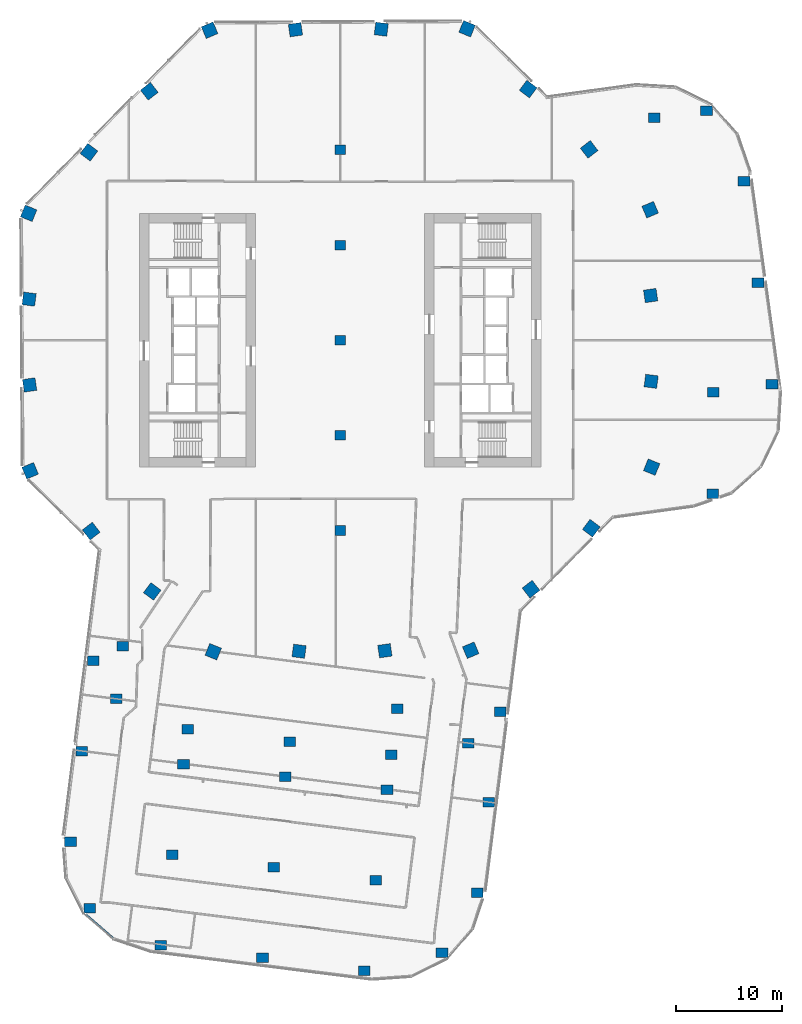
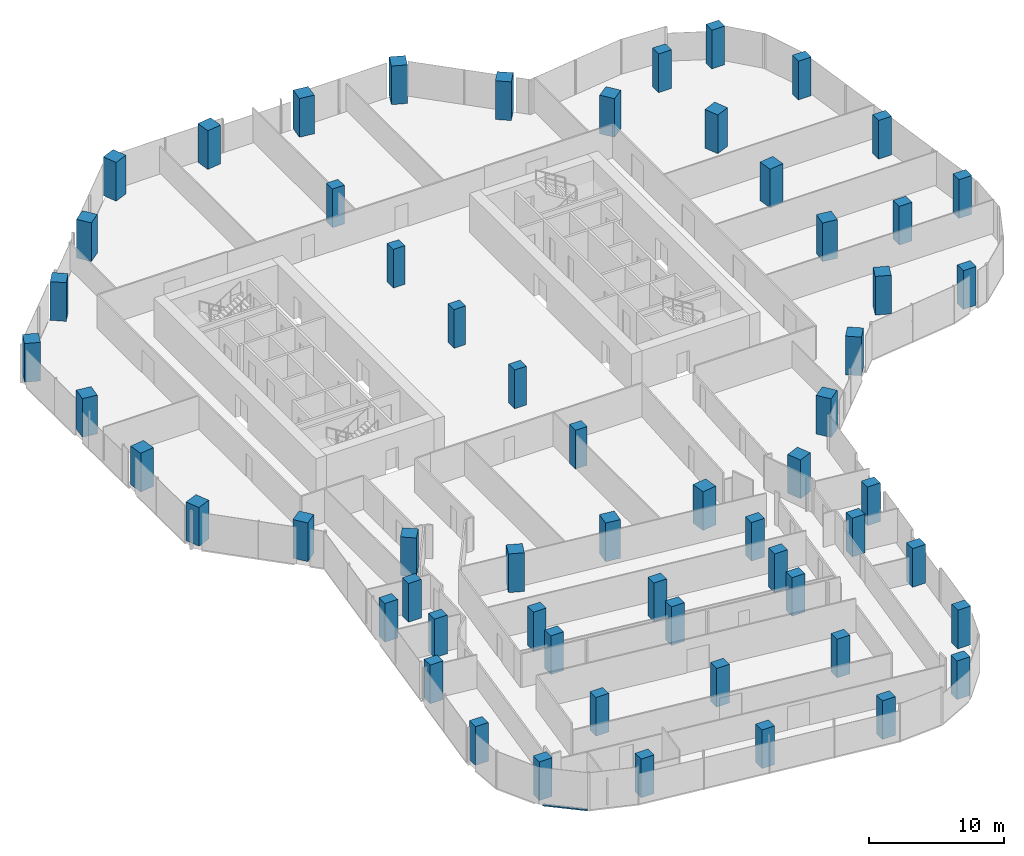
# One storey, part 1 of 27: 60 columns, 1 member, 1 element without a shape of its own.
"""IFC4 building model written with IfcOpenShell, lengths in metres."""

from ifc_helpers import new_model, si_unit, direction, frame, origin, origin_2d, place, context, subcontext, project, spatial, rectangle, extrude, material, material_profile, profile_set, type_object, element, aggregate, save


model = new_model("IFC4")

# Units and contexts
model_context = context("Model", 3, precision=1e-05, world=origin(), true_north=direction((0.0, 1.0)))
body_context = subcontext(model_context, "Body", "Model", "MODEL_VIEW")
ifc_project = project(units=[si_unit("LENGTHUNIT", "METRE"), si_unit("AREAUNIT", "SQUARE_METRE"), si_unit("VOLUMEUNIT", "CUBIC_METRE"), si_unit("PLANEANGLEUNIT", "RADIAN"), si_unit("MASSUNIT", "GRAM", prefix="KILO")], contexts=[model_context])

# Site, building, storey
site_placement = place(None, origin())
site = spatial("IfcSite", under=ifc_project, at=site_placement, CompositionType="ELEMENT")
building_placement = place(site_placement, origin())
building = spatial("IfcBuilding", under=site, at=building_placement, Name="Orlundy Tower", CompositionType="ELEMENT")
storey_placement = place(building_placement, frame((0.0, 0.0, 202.60009765625)))
storey = spatial("IfcBuildingStorey", under=building, at=storey_placement, Name="L53", CompositionType="ELEMENT", Elevation=202.60009765625)

# Columns
ifc_material_1 = material(Name="Concrete C70/85", Category="concrete")
ifc_material_profile_1 = material_profile(ifc_material_1, rectangle(XDim=1.0, YDim=0.89990234375, at=origin_2d()), Name="RC1000X900")
ifc_profile_set_1 = profile_set([ifc_material_profile_1], Name="Concrete C70/85")
column_type_1 = type_object("IfcColumnType", Name="RC COLUMN RC1000X900 C70/85", PredefinedType="COLUMN", material=ifc_profile_set_1)
for number, where, z_axis, x_axis, name in (
    (1, (0.0, -18.0, 0.0), (0.0, 0.0, 1.0), (1.0, 0.0, 0.0), "Column C-M1 L53"),
    (2, (0.0, -9.0, 0.0), (0.0, 0.0, 1.0), (1.0, 0.0, 0.0), "Column C-M2 L53"),
    (3, (0.0, 0.0, 0.0), (0.0, 0.0, 1.0), (1.0, 0.0, 0.0), "Column C-M3 L53"),
    (4, (0.0, 9.0, 0.0), (0.0, 0.0, 1.0), (1.0, 0.0, 0.0), "Column C-M4 L53"),
    (5, (0.0, 18.0, 0.0), (0.0, 0.0, 1.0), (1.0, 0.0, 0.0), "Column C-M5 L53"),
):
    element("IfcColumn", number, at=place(storey_placement, frame(where, z_axis=z_axis, x_axis=x_axis)), inside=storey, type_object=column_type_1, Name=name, PredefinedType="COLUMN", context=body_context, shape_type="SweptSolid", body=[
        extrude(rectangle(XDim=1.0, YDim=0.89990234375, at=origin_2d()), origin(), (0.0, 0.0, 1.0), 3.5),
    ])
ifc_material_2 = material(Name="Concrete C70/85", Category="concrete")
ifc_material_profile_2 = material_profile(ifc_material_2, rectangle(XDim=1.10009765625, YDim=0.89990234375, at=origin_2d()), Name="RC1100X900")
ifc_profile_set_2 = profile_set([ifc_material_profile_2], Name="Concrete C70/85")
column_type_2 = type_object("IfcColumnType", Name="RC COLUMN RC1100X900 C70/85", PredefinedType="COLUMN", material=ifc_profile_set_2)
for number, where, z_axis, x_axis, name in (
    (6, (35.258056640625, -14.512939453125, 0.0), (0.0, 0.0, 1.0), (1.0, 0.0, 0.0), "Column C-A1-1 L53"),
    (7, (40.85009765625, -4.1708984375, 0.0), (0.0, 0.0, 1.0), (1.0, 0.0, 0.0), "Column C-A2-5 L53"),
    (8, (35.302001953125, -4.93505859375, 0.0), (0.0, 0.0, 1.0), (1.0, 0.0, 0.0), "Column C-A2-6 L53"),
    (9, (39.528076171875, 5.43798828125, 0.0), (0.0, 0.0, 1.0), (1.0, 0.0, 0.0), "Column C-A3-5 L53"),
    (10, (38.2060546875, 15.048095703125, 0.0), (0.0, 0.0, 1.0), (1.0, 0.0, 0.0), "Column C-A4-5 L53"),
    (11, (34.656005859375, 21.718994140625, 0.0), (0.0, 0.0, 1.0), (1.0, 0.0, 0.0), "Column C-A5-5 L53"),
    (12, (29.702880859375, 21.0380859375, 0.0), (0.0, 0.0, 1.0), (1.0, 0.0, 0.0), "Column C-A5-6 L53"),
    (13, (-23.364990234375, -30.322021484375, 0.0), (0.0, 0.0, 1.0), (1.0, 0.0, 0.0), "Column C-B1-1 L53"),
    (14, (-24.44189453125, -38.887939453125, 0.0), (0.0, 0.0, 1.0), (1.0, 0.0, 0.0), "Column C-B1-2 L53"),
    (15, (-25.51611328125, -47.4541015625, 0.0), (0.0, 0.0, 1.0), (1.0, 0.0, 0.0), "Column C-B1-3 L53"),
    (16, (-23.68505859375, -53.758056640625, 0.0), (0.0, 0.0, 1.0), (1.0, 0.0, 0.0), "Column C-B1-5 L53"),
    (17, (-21.18994140625, -33.9150390625, 0.0), (0.0, 0.0, 1.0), (1.0, 0.0, 0.0), "Column C-B1-6 L53"),
    (18, (-20.56591796875, -28.9541015625, 0.0), (0.0, 0.0, 1.0), (1.0, 0.0, 0.0), "Column C-B1-7 L53"),
    (19, (-14.818115234375, -40.097900390625, 0.0), (0.0, 0.0, 1.0), (1.0, 0.0, 0.0), "Column C-B2-2 L53"),
    (20, (-15.89501953125, -48.6640625, 0.0), (0.0, 0.0, 1.0), (1.0, 0.0, 0.0), "Column C-B2-3 L53"),
    (21, (-16.971923828125, -57.22998046875, 0.0), (0.0, 0.0, 1.0), (1.0, 0.0, 0.0), "Column C-B2-5 L53"),
    (22, (-14.402099609375, -36.791015625, 0.0), (0.0, 0.0, 1.0), (1.0, 0.0, 0.0), "Column C-B2-6 L53"),
    (23, (-5.194091796875, -41.30810546875, 0.0), (0.0, 0.0, 1.0), (1.0, 0.0, 0.0), "Column C-B3-2 L53"),
    (24, (-6.27099609375, -49.8740234375, 0.0), (0.0, 0.0, 1.0), (1.0, 0.0, 0.0), "Column C-B3-3 L53"),
    (25, (-7.347900390625, -58.43994140625, 0.0), (0.0, 0.0, 1.0), (1.0, 0.0, 0.0), "Column C-B3-5 L53"),
    (26, (-4.778076171875, -38.0009765625, 0.0), (0.0, 0.0, 1.0), (1.0, 0.0, 0.0), "Column C-B3-6 L53"),
    (27, (4.429931640625, -42.51806640625, 0.0), (0.0, 0.0, 1.0), (1.0, 0.0, 0.0), "Column C-B4-2 L53"),
    (28, (3.35302734375, -51.083984375, 0.0), (0.0, 0.0, 1.0), (1.0, 0.0, 0.0), "Column C-B4-3 L53"),
    (29, (2.27587890625, -59.64990234375, 0.0), (0.0, 0.0, 1.0), (1.0, 0.0, 0.0), "Column C-B4-5 L53"),
    (30, (4.845947265625, -39.2109375, 0.0), (0.0, 0.0, 1.0), (1.0, 0.0, 0.0), "Column C-B4-6 L53"),
    (31, (5.39501953125, -34.844970703125, 0.0), (0.0, 0.0, 1.0), (1.0, 0.0, 0.0), "Column C-B4-7 L53"),
    (32, (15.131103515625, -35.162109375, 0.0), (0.0, 0.0, 1.0), (1.0, 0.0, 0.0), "Column C-B5-1 L53"),
    (33, (14.053955078125, -43.72802734375, 0.0), (0.0, 0.0, 1.0), (1.0, 0.0, 0.0), "Column C-B5-2 L53"),
    (34, (12.972900390625, -52.2939453125, 0.0), (0.0, 0.0, 1.0), (1.0, 0.0, 0.0), "Column C-B5-3 L53"),
    (35, (9.638916015625, -57.948974609375, 0.0), (0.0, 0.0, 1.0), (1.0, 0.0, 0.0), "Column C-B5-5 L53"),
    (36, (12.134033203125, -38.10498046875, 0.0), (0.0, 0.0, 1.0), (1.0, 0.0, 0.0), "Column C-B5-6 L53"),
):
    element("IfcColumn", number, at=place(storey_placement, frame(where, z_axis=z_axis, x_axis=x_axis)), inside=storey, type_object=column_type_2, Name=name, PredefinedType="COLUMN", context=body_context, shape_type="SweptSolid", body=[
        extrude(rectangle(XDim=1.10009765625, YDim=0.89990234375, at=origin_2d()), origin(), (0.0, 0.0, 1.0), 3.5),
    ])
ifc_material_3 = material(Name="Concrete C70/85", Category="concrete")
ifc_material_profile_3 = material_profile(ifc_material_3, rectangle(XDim=1.199951171875, YDim=1.199951171875, at=origin_2d()), Name="RC1200X1200")
ifc_profile_set_3 = profile_set([ifc_material_profile_3], Name="Concrete C70/85")
column_type_3 = type_object("IfcColumnType", Name="RC COLUMN RC1200X1200 C70/85", PredefinedType="COLUMN", material=ifc_profile_set_3)
for number, where, z_axis, x_axis, name in (
    (37, (12.007080078125, 29.469970703125, 0.0), (0.0, 0.0, 1.0), (0.377323624231, 0.926081466501, 0.0), "Column C-H01 L53"),
    (38, (17.781005859375, 23.762939453125, 0.0), (0.0, 0.0, 1.0), (0.599107447624, 0.800668636954, 0.0), "Column C-H02 L53"),
    (39, (23.554931640625, 18.055908203125, 0.0), (0.0, 0.0, 1.0), (0.793650742501, 0.60837365075, 0.0), "Column C-H03 L53"),
    (40, (29.3291015625, 12.34912109375, 0.0), (0.0, 0.0, 1.0), (0.921633032912, 0.388062562797, 0.0), "Column C-H04 L53"),
    (41, (29.3759765625, 4.22998046875, 0.0), (0.0, 0.0, 1.0), (0.989791161548, 0.142525283799, 0.0), "Column C-H05 L53"),
    (42, (29.423095703125, -3.887939453125, 0.0), (0.0, 0.0, 1.0), (0.991380955857, -0.131010687976, 0.0), "Column C-H06 L53"),
    (43, (29.469970703125, -12.007080078125, 0.0), (0.0, 0.0, 1.0), (0.926081466501, -0.377323624231, 0.0), "Column C-H07 L53"),
    (44, (23.762939453125, -17.781005859375, 0.0), (0.0, 0.0, 1.0), (0.800668636954, -0.599107447624, 0.0), "Column C-H08 L53"),
    (45, (18.055908203125, -23.554931640625, 0.0), (0.0, 0.0, 1.0), (0.60837365075, -0.793650742501, 0.0), "Column C-H09 L53"),
    (46, (12.34912109375, -29.3291015625, 0.0), (0.0, 0.0, 1.0), (0.388062562797, -0.921633032912, 0.0), "Column C-H10 L53"),
    (47, (4.22998046875, -29.3759765625, 0.0), (0.0, 0.0, 1.0), (0.142525283799, -0.989791161548, 0.0), "Column C-H11 L53"),
    (48, (-3.887939453125, -29.423095703125, 0.0), (0.0, 0.0, 1.0), (-0.131010687976, -0.991380955857, 0.0), "Column C-H12 L53"),
    (49, (-12.007080078125, -29.469970703125, 0.0), (0.0, 0.0, 1.0), (-0.377323624231, -0.926081466501, 0.0), "Column C-H13 L53"),
    (50, (-17.781005859375, -23.762939453125, 0.0), (0.0, 0.0, 1.0), (-0.599107447624, -0.800668636954, 0.0), "Column C-H14 L53"),
    (51, (-23.554931640625, -18.055908203125, 0.0), (0.0, 0.0, 1.0), (-0.793650742501, -0.60837365075, 0.0), "Column C-H15 L53"),
    (52, (-29.3291015625, -12.34912109375, 0.0), (0.0, 0.0, 1.0), (-0.921633032912, -0.388062562797, 0.0), "Column C-H16 L53"),
    (53, (-29.3759765625, -4.22998046875, 0.0), (0.0, 0.0, 1.0), (-0.989791161548, -0.142525283799, 0.0), "Column C-H17 L53"),
    (54, (-29.423095703125, 3.887939453125, 0.0), (0.0, 0.0, 1.0), (-0.991380955857, 0.131010687976, 0.0), "Column C-H18 L53"),
    (55, (-29.469970703125, 12.007080078125, 0.0), (0.0, 0.0, 1.0), (-0.926081466501, 0.377323624231, 0.0), "Column C-H19 L53"),
    (56, (-23.762939453125, 17.781005859375, 0.0), (0.0, 0.0, 1.0), (-0.800668636954, 0.599107447624, 0.0), "Column C-H20 L53"),
    (57, (-18.055908203125, 23.554931640625, 0.0), (0.0, 0.0, 1.0), (-0.60837365075, 0.793650742501, 0.0), "Column C-H21 L53"),
    (58, (-12.34912109375, 29.3291015625, 0.0), (0.0, 0.0, 1.0), (-0.388062562797, 0.921633032912, 0.0), "Column C-H22 L53"),
    (59, (-4.22998046875, 29.3759765625, 0.0), (0.0, 0.0, 1.0), (-0.142525283799, 0.989791161548, 0.0), "Column C-H23 L53"),
    (60, (3.887939453125, 29.423095703125, 0.0), (0.0, 0.0, 1.0), (0.131010687976, 0.991380955857, 0.0), "Column C-H24 L53"),
):
    element("IfcColumn", number, at=place(storey_placement, frame(where, z_axis=z_axis, x_axis=x_axis)), inside=storey, type_object=column_type_3, Name=name, PredefinedType="COLUMN", context=body_context, shape_type="SweptSolid", body=[
        extrude(rectangle(XDim=1.199951171875, YDim=1.199951171875, at=origin_2d()), origin(), (0.0, 0.0, 1.0), 3.5),
    ])

# Curtain wall, member
ifc_material_4 = material(Name="Aluminium bronze anodised", Category="aluminium")
curtain_wall_type = type_object("IfcCurtainWallType", Name="CW1 wall", PredefinedType="NOTDEFINED", material=ifc_material_4)
curtain_wall_placement = place(storey_placement, origin())
curtain_wall = element("IfcCurtainWall", 61, at=curtain_wall_placement, inside=storey, type_object=curtain_wall_type, Name="CW1 run 025", PredefinedType="NOTDEFINED")
ifc_material_5 = material(Name="Aluminium bronze anodised", Category="aluminium")
ifc_material_profile_4 = material_profile(ifc_material_5, rectangle(XDim=0.179931640625, YDim=0.1201171875, at=origin_2d()), Name="CW1 transom 180x120")
ifc_profile_set_4 = profile_set([ifc_material_profile_4], Name="Aluminium bronze anodised")
member_type = type_object("IfcMemberType", Name="CW1 transom 180x120", PredefinedType="USERDEFINED", material=ifc_profile_set_4)
member_placement = place(storey_placement, frame((-21.471435546875, -56.57470703125, -0.360107421875), z_axis=(-0.755629576233, 0.654999193527, 0.0), x_axis=(-0.654999193527, -0.755629576233, 0.0)))
member = element("IfcMember", 62, at=member_placement, type_object=member_type, Name="CW1 transom", ObjectType="TRANSOM", PredefinedType="USERDEFINED", context=body_context, shape_type="SweptSolid", body=[
    extrude(rectangle(XDim=0.179931640625, YDim=0.1201171875, at=origin_2d()), origin(), (0.0, 0.0, 1.0), 3.384521484375),
])
aggregate(curtain_wall, [member])

save(model, "model.ifc")
